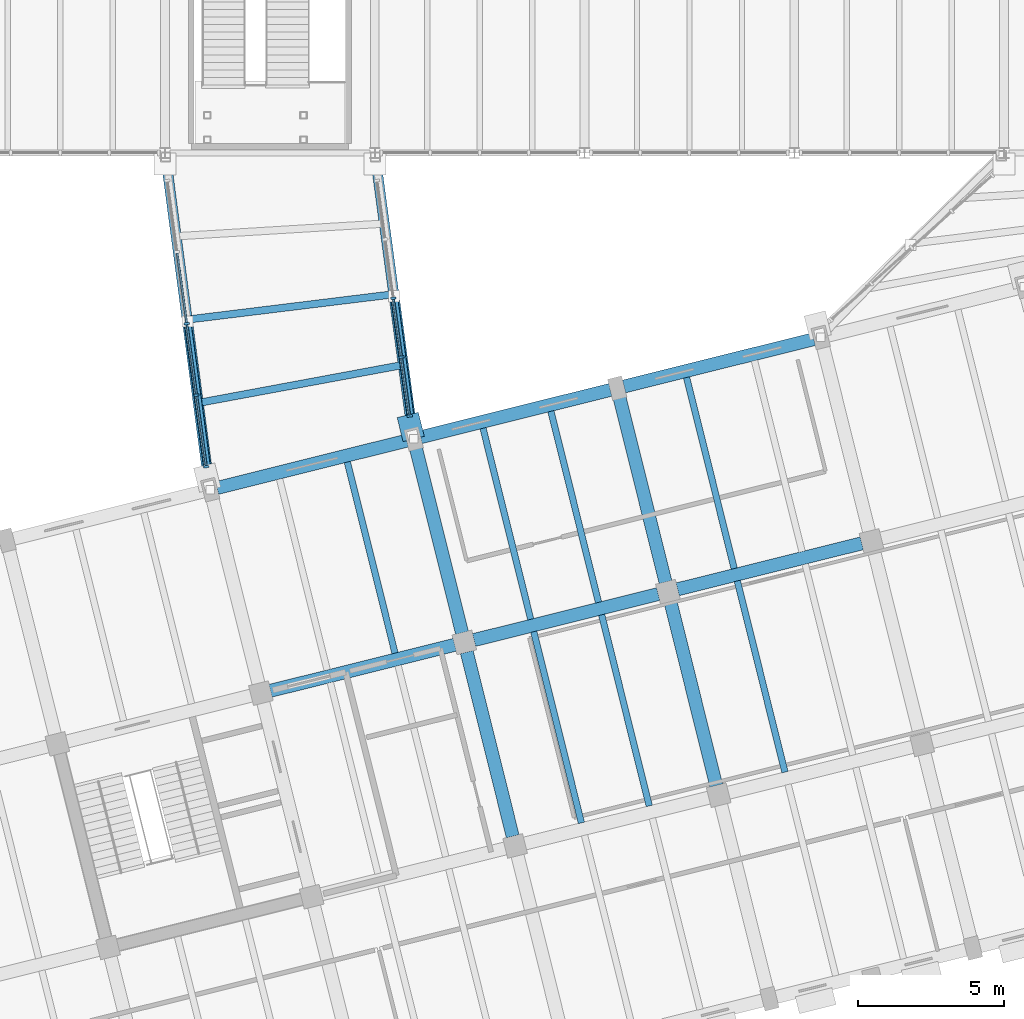
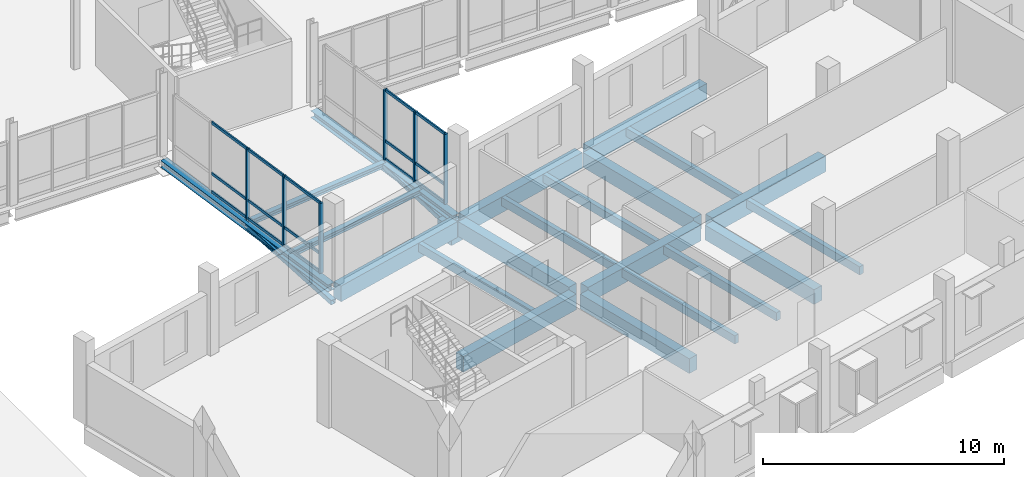
# One storey, part 17 of 72: 23 members, 22 beams, 2 elements without a shape of their own.
"""IFC4 building model written with IfcOpenShell, lengths in metres."""

from ifc_helpers import new_model, si_unit, direction, frame, origin, origin_2d, place, context, subcontext, project, spatial, rectangle, hollow_rectangle, i_section, extrude, material, material_profile, profile_set, type_object, element, aggregate, save


model = new_model("IFC4")

# Units and contexts
model_context = context("Model", 3, precision=1e-05, world=origin(), true_north=direction((0.0, 1.0)))
body_context = subcontext(model_context, "Body", "Model", "MODEL_VIEW")
ifc_project = project(units=[si_unit("LENGTHUNIT", "METRE"), si_unit("AREAUNIT", "SQUARE_METRE"), si_unit("VOLUMEUNIT", "CUBIC_METRE"), si_unit("PLANEANGLEUNIT", "RADIAN"), si_unit("MASSUNIT", "GRAM", prefix="KILO")], contexts=[model_context])

# Site, building, storey
site_placement = place(None, origin())
site = spatial("IfcSite", under=ifc_project, at=site_placement, CompositionType="ELEMENT")
building_placement = place(site_placement, origin())
building = spatial("IfcBuilding", under=site, at=building_placement, Name="Qiaolan Assembly House", CompositionType="ELEMENT")
storey_placement = place(building_placement, frame((0.0, 0.0, 10.199951171875)))
storey = spatial("IfcBuildingStorey", under=building, at=storey_placement, Name="L02", CompositionType="ELEMENT", Elevation=10.199951171875)

# Beams
ifc_material_1 = material(Name="Steel Q355B", Category="steel")
ifc_material_profile_1 = material_profile(ifc_material_1, i_section(OverallWidth=0.35009765625, OverallDepth=0.35009765625, WebThickness=0.011962890625, FlangeThickness=0.01904296875, FilletRadius=0.02001953125, at=origin_2d()), Name="HW 350x350x12x19-BR")
ifc_profile_set_1 = profile_set([ifc_material_profile_1], Name="Steel Q355B")
beam_type_1 = type_object("IfcBeamType", Name="BM-BRIDGE-CHORD-HW350", PredefinedType="BEAM", material=ifc_profile_set_1)
beam_1_placement = place(storey_placement, frame((44.7177734375, 24.55859375, -0.364990234375), z_axis=(-0.131494663693, 0.99131687841, 0.0), x_axis=(-0.99131687841, -0.131494663693, 0.0)))
element("IfcBeam", 1, at=beam_1_placement, inside=storey, type_object=beam_type_1, Name="BGB-01 skybridge main girder WB L02", PredefinedType="BEAM", context=body_context, shape_type="SweptSolid", body=[
    extrude(i_section(OverallWidth=0.35009765625, OverallDepth=0.35009765625, WebThickness=0.011962890625, FlangeThickness=0.01904296875, FilletRadius=0.02001953125, at=origin_2d()), origin(), (0.0, 0.0, 1.0), 11.40185546875),
])
beam_2_placement = place(storey_placement, frame((51.703857421875, 26.30029296875, -0.364990234375), z_axis=(-0.133217934411, 0.991086768124, 0.0), x_axis=(-0.991086768124, -0.133217934411, 0.0)))
element("IfcBeam", 2, at=beam_2_placement, inside=storey, type_object=beam_type_1, Name="BGB-01 skybridge main girder WB L02", PredefinedType="BEAM", context=body_context, shape_type="SweptSolid", body=[
    extrude(i_section(OverallWidth=0.35009765625, OverallDepth=0.35009765625, WebThickness=0.011962890625, FlangeThickness=0.01904296875, FilletRadius=0.02001953125, at=origin_2d()), origin(), (0.0, 0.0, 1.0), 9.64697265625),
])
ifc_material_profile_2 = material_profile(ifc_material_1, i_section(OverallWidth=0.25, OverallDepth=0.25, WebThickness=0.009033203125, FlangeThickness=0.013916015625, FilletRadius=0.01611328125, at=origin_2d()), Name="HW 250x250x9x14")
ifc_profile_set_2 = profile_set([ifc_material_profile_2], Name="Steel Q355B")
beam_type_2 = type_object("IfcBeamType", Name="BM-BRIDGE-CROSS-HW250", PredefinedType="BEAM", material=ifc_profile_set_2)
beam_3_placement = place(storey_placement, frame((44.33837890625, 27.4189453125, -0.31494140625), z_axis=(0.983212514339, 0.182464110572, 0.0), x_axis=(-0.182464110572, 0.983212514339, 0.0)))
element("IfcBeam", 3, at=beam_3_placement, inside=storey, type_object=beam_type_2, Name="BGB-02 skybridge cross beam WB L02", PredefinedType="BEAM", context=body_context, shape_type="SweptSolid", body=[
    extrude(i_section(OverallWidth=0.25, OverallDepth=0.25, WebThickness=0.009033203125, FlangeThickness=0.013916015625, FilletRadius=0.01611328125, at=origin_2d()), origin(), (0.0, 0.0, 1.0), 7.15966796875),
])
beam_4_placement = place(storey_placement, frame((43.958740234375, 30.279296875, -0.31494140625), z_axis=(0.992547732706, 0.121856465979, 0.0), x_axis=(-0.121856465979, 0.992547732706, 0.0)))
element("IfcBeam", 4, at=beam_4_placement, inside=storey, type_object=beam_type_2, Name="BGB-02 skybridge cross beam WB L02", PredefinedType="BEAM", context=body_context, shape_type="SweptSolid", body=[
    extrude(i_section(OverallWidth=0.25, OverallDepth=0.25, WebThickness=0.009033203125, FlangeThickness=0.013916015625, FilletRadius=0.01611328125, at=origin_2d()), origin(), (0.0, 0.0, 1.0), 7.146484375),
])
ifc_material_2 = material(Name="Concrete C50/60", Category="concrete")
ifc_material_profile_3 = material_profile(ifc_material_2, rectangle(XDim=0.75, YDim=0.949951171875, at=origin_2d()), Name="RCB 750x950")
ifc_profile_set_3 = profile_set([ifc_material_profile_3], Name="Concrete C50/60")
beam_type_3 = type_object("IfcBeamType", Name="BM-CORBEL-750x950", PredefinedType="SPANDREL", material=ifc_profile_set_3)
beam_5_placement = place(storey_placement, frame((51.73291015625, 26.183837890625, -1.051025390625), z_axis=(-0.241859697247, 0.97031123195, 0.0), x_axis=(-0.97031123195, -0.241859697247, 0.0)))
element("IfcBeam", 5, at=beam_5_placement, inside=storey, type_object=beam_type_3, Name="CB-01 movement-joint RC corbel WB L02 SE", PredefinedType="SPANDREL", context=body_context, shape_type="SweptSolid", body=[
    extrude(rectangle(XDim=0.75, YDim=0.949951171875, at=origin_2d()), origin(), (0.0, 0.0, 1.0), 0.849853515625),
])
ifc_material_3 = material(Name="Concrete C40/50", Category="concrete")
ifc_material_profile_4 = material_profile(ifc_material_3, rectangle(XDim=0.449951171875, YDim=0.75, at=origin_2d()), Name="RCB 450x750")
ifc_profile_set_4 = profile_set([ifc_material_profile_4], Name="Concrete C40/50")
beam_type_4 = type_object("IfcBeamType", Name="BM-RC-450x750", PredefinedType="BEAM", material=ifc_profile_set_4)
beam_6_placement = place(storey_placement, frame((55.13427734375, 12.54150390625, -0.625), z_axis=(-0.241927658105, 0.970294289504, 0.0), x_axis=(-0.970294289504, -0.241927658105, 0.0)))
element("IfcBeam", 6, at=beam_6_placement, inside=storey, type_object=beam_type_4, Name="GB-04 beam BMV-SE-L02-03-01", PredefinedType="BEAM", context=body_context, shape_type="SweptSolid", body=[
    extrude(rectangle(XDim=0.449951171875, YDim=0.75, at=origin_2d()), origin(), (0.0, 0.0, 1.0), 6.52001953125),
])
beam_7_placement = place(storey_placement, frame((53.392578125, 19.527587890625, -0.625), z_axis=(-0.241928153868, 0.970294165893, 0.0), x_axis=(-0.970294165893, -0.241928153868, 0.0)))
element("IfcBeam", 7, at=beam_7_placement, inside=storey, type_object=beam_type_4, Name="GB-04 beam BMV-SE-L02-03-02", PredefinedType="BEAM", context=body_context, shape_type="SweptSolid", body=[
    extrude(rectangle(XDim=0.449951171875, YDim=0.75, at=origin_2d()), origin(), (0.0, 0.0, 1.0), 6.619873046875),
])
beam_8_placement = place(storey_placement, frame((62.120361328125, 14.283447265625, -0.625), z_axis=(-0.241901193801, 0.97030088758, 0.0), x_axis=(-0.97030088758, -0.241901193801, 0.0)))
element("IfcBeam", 8, at=beam_8_placement, inside=storey, type_object=beam_type_4, Name="GB-04 beam BMV-SE-L02-04-01", PredefinedType="BEAM", context=body_context, shape_type="SweptSolid", body=[
    extrude(rectangle(XDim=0.449951171875, YDim=0.75, at=origin_2d()), origin(), (0.0, 0.0, 1.0), 6.519775390625),
])
beam_9_placement = place(storey_placement, frame((60.378662109375, 21.26953125, -0.625), z_axis=(-0.241928153868, 0.970294165893, 0.0), x_axis=(-0.970294165893, -0.241928153868, 0.0)))
element("IfcBeam", 9, at=beam_9_placement, inside=storey, type_object=beam_type_4, Name="GB-04 beam BMV-SE-L02-04-02", PredefinedType="BEAM", context=body_context, shape_type="SweptSolid", body=[
    extrude(rectangle(XDim=0.449951171875, YDim=0.75, at=origin_2d()), origin(), (0.0, 0.0, 1.0), 6.619873046875),
])
ifc_material_profile_5 = material_profile(ifc_material_3, rectangle(XDim=0.449951171875, YDim=0.800048828125, at=origin_2d()), Name="RCB 450x800")
ifc_profile_set_5 = profile_set([ifc_material_profile_5], Name="Concrete C40/50")
beam_type_5 = type_object("IfcBeamType", Name="BM-RC-450x800", PredefinedType="BEAM", material=ifc_profile_set_5)
for number, where, z_axis, x_axis, name in (
    (10, (46.818603515625, 17.5380859375, -0.64990234375), (0.970292097807, 0.241936448129, 0.0), (-0.241936448129, 0.970292097807, 0.0), "GB-03 beam BMU-SE-L02-02-02"),
    (11, (53.8046875, 19.280029296875, -0.64990234375), (0.970292097807, 0.241936448129, 0.0), (-0.241936448129, 0.970292097807, 0.0), "GB-03 beam BMU-SE-L02-03-02"),
):
    element("IfcBeam", number, at=place(storey_placement, frame(where, z_axis=z_axis, x_axis=x_axis)), inside=storey, type_object=beam_type_5, Name=name, PredefinedType="BEAM", context=body_context, shape_type="SweptSolid", body=[
        extrude(rectangle(XDim=0.449951171875, YDim=0.800048828125, at=origin_2d()), origin(), (0.0, 0.0, 1.0), 6.519775390625),
    ])
beam_10_placement = place(storey_placement, frame((60.790771484375, 21.02197265625, -0.64990234375), z_axis=(0.970303078658, 0.241892404898, 0.0), x_axis=(-0.241892404898, 0.970303078658, 0.0)))
element("IfcBeam", 12, at=beam_10_placement, inside=storey, type_object=beam_type_5, Name="GB-03 beam BMU-SE-L02-04-02", PredefinedType="BEAM", context=body_context, shape_type="SweptSolid", body=[
    extrude(rectangle(XDim=0.449951171875, YDim=0.800048828125, at=origin_2d()), origin(), (0.0, 0.0, 1.0), 6.52001953125),
])
beam_11_placement = place(storey_placement, frame((44.979736328125, 24.500244140625, -0.64990234375), z_axis=(0.970302573856, 0.241894429802, 0.0), x_axis=(-0.241894429802, 0.970302573856, 0.0)))
element("IfcBeam", 13, at=beam_11_placement, inside=storey, type_object=beam_type_5, Name="GB-03 beam BMU-SE-L02-02-03", PredefinedType="BEAM", context=body_context, shape_type="SweptSolid", body=[
    extrude(rectangle(XDim=0.449951171875, YDim=0.800048828125, at=origin_2d()), origin(), (0.0, 0.0, 1.0), 6.7197265625),
])
for number, where, z_axis, x_axis, name in (
    (14, (51.9658203125, 26.241943359375, -0.64990234375), (0.970294045957, 0.241928634891, 0.0), (-0.241928634891, 0.970294045957, 0.0), "GB-03 beam BMU-SE-L02-03-03"),
    (15, (58.951904296875, 27.98388671875, -0.64990234375), (0.970294045957, 0.241928634891, 0.0), (-0.241928634891, 0.970294045957, 0.0), "GB-03 beam BMU-SE-L02-04-03"),
):
    element("IfcBeam", number, at=place(storey_placement, frame(where, z_axis=z_axis, x_axis=x_axis)), inside=storey, type_object=beam_type_5, Name=name, PredefinedType="BEAM", context=body_context, shape_type="SweptSolid", body=[
        extrude(rectangle(XDim=0.449951171875, YDim=0.800048828125, at=origin_2d()), origin(), (0.0, 0.0, 1.0), 6.719970703125),
    ])

# Curtain wall, members
ifc_material_4 = material(Name="Anodised bronze aluminium", Category="aluminium")
curtain_wall_type = type_object("IfcCurtainWallType", Name="CW-BRIDGE-420", PredefinedType="NOTDEFINED", material=ifc_material_4)
curtain_wall_1_placement = place(storey_placement, origin())
curtain_wall_1 = element("IfcCurtainWall", 16, at=curtain_wall_1_placement, inside=storey, type_object=curtain_wall_type, Name="CW-03 Glazed Skybridge Curtain Wall WB L02 W", PredefinedType="NOTDEFINED")
ifc_material_profile_6 = material_profile(ifc_material_4, rectangle(XDim=0.077880859375, YDim=0.179931640625, at=origin_2d()), Name="MUL 78x180")
ifc_profile_set_6 = profile_set([ifc_material_profile_6], Name="Anodised bronze aluminium")
member_type_1 = type_object("IfcMemberType", Name="CW-BRIDGE-420-MUL", PredefinedType="MULLION", material=ifc_profile_set_6)
member_1_placement = place(storey_placement, frame((44.612060546875, 25.2294921875, 0.0), z_axis=(0.0, 0.0, 1.0), x_axis=(-0.134917653255, 0.990856814499, 0.0)))
member_1 = element("IfcMember", 17, at=member_1_placement, type_object=member_type_1, Name="ML-04 mullion CW-BRIDGE-WB-L02-W-1", PredefinedType="MULLION", context=body_context, shape_type="SweptSolid", body=[
    extrude(rectangle(XDim=0.077880859375, YDim=0.179931640625, at=origin_2d()), origin(), (0.0, 0.0, 1.0), 3.550048828125),
])
member_2_placement = place(storey_placement, frame((44.277587890625, 27.68603515625, 0.0), z_axis=(0.0, 0.0, 1.0), x_axis=(-0.134917653255, 0.990856814499, 0.0)))
member_2 = element("IfcMember", 18, at=member_2_placement, type_object=member_type_1, Name="ML-04 mullion CW-BRIDGE-WB-L02-W-2", PredefinedType="MULLION", context=body_context, shape_type="SweptSolid", body=[
    extrude(rectangle(XDim=0.077880859375, YDim=0.179931640625, at=origin_2d()), origin(), (0.0, 0.0, 1.0), 3.550048828125),
])
member_3_placement = place(storey_placement, frame((43.943115234375, 30.142333984375, 0.0), z_axis=(0.0, 0.0, 1.0), x_axis=(-0.134917653255, 0.990856814499, 0.0)))
member_3 = element("IfcMember", 19, at=member_3_placement, type_object=member_type_1, Name="ML-04 mullion CW-BRIDGE-WB-L02-W-3", PredefinedType="MULLION", context=body_context, shape_type="SweptSolid", body=[
    extrude(rectangle(XDim=0.077880859375, YDim=0.179931640625, at=origin_2d()), origin(), (0.0, 0.0, 1.0), 3.550048828125),
])

curtain_wall_2_placement = place(storey_placement, origin())
curtain_wall_2 = element("IfcCurtainWall", 20, at=curtain_wall_2_placement, inside=storey, type_object=curtain_wall_type, Name="CW-03 Glazed Skybridge Curtain Wall WB L02 E", PredefinedType="NOTDEFINED")
member_4_placement = place(storey_placement, frame((51.0361328125, 31.01318359375, 0.0), z_axis=(0.0, 0.0, 1.0), x_axis=(0.137387630004, -0.990517359324, 0.0)))
member_4 = element("IfcMember", 21, at=member_4_placement, type_object=member_type_1, Name="ML-04 mullion CW-BRIDGE-WB-L02-E-3", PredefinedType="MULLION", context=body_context, shape_type="SweptSolid", body=[
    extrude(rectangle(XDim=0.077880859375, YDim=0.179931640625, at=origin_2d()), origin(), (0.0, 0.0, 1.0), 3.550048828125),
])
member_5_placement = place(storey_placement, frame((51.31640625, 28.9921875, 0.0), z_axis=(0.0, 0.0, 1.0), x_axis=(0.137387630004, -0.990517359324, 0.0)))
member_5 = element("IfcMember", 22, at=member_5_placement, type_object=member_type_1, Name="ML-04 mullion CW-BRIDGE-WB-L02-E-4", PredefinedType="MULLION", context=body_context, shape_type="SweptSolid", body=[
    extrude(rectangle(XDim=0.077880859375, YDim=0.179931640625, at=origin_2d()), origin(), (0.0, 0.0, 1.0), 3.550048828125),
])
member_6_placement = place(storey_placement, frame((51.596923828125, 26.97119140625, 0.0), z_axis=(0.0, 0.0, 1.0), x_axis=(0.137387630004, -0.990517359324, 0.0)))
member_6 = element("IfcMember", 23, at=member_6_placement, type_object=member_type_1, Name="ML-04 mullion CW-BRIDGE-WB-L02-E-5", PredefinedType="MULLION", context=body_context, shape_type="SweptSolid", body=[
    extrude(rectangle(XDim=0.077880859375, YDim=0.179931640625, at=origin_2d()), origin(), (0.0, 0.0, 1.0), 3.550048828125),
])

# Member
ifc_material_profile_7 = material_profile(ifc_material_4, rectangle(XDim=0.068115234375, YDim=0.139892578125, at=origin_2d()), Name="TRN 68x140")
ifc_profile_set_7 = profile_set([ifc_material_profile_7], Name="Anodised bronze aluminium")
member_type_2 = type_object("IfcMemberType", Name="CW-BRIDGE-420-TRN", PredefinedType="USERDEFINED", material=ifc_profile_set_7)
member_7_placement = place(storey_placement, frame((44.606689453125, 25.268310546875, 0.030029296875), z_axis=(-0.134840926232, 0.990867258826, 0.0), x_axis=(-0.990867258826, -0.134840926232, 0.0)))
member_7 = element("IfcMember", 24, at=member_7_placement, type_object=member_type_2, Name="TR-04 transom CW-BRIDGE-WB-L02-W-1-1", ObjectType="TRANSOM", PredefinedType="USERDEFINED", context=body_context, shape_type="SweptSolid", body=[
    extrude(rectangle(XDim=0.068115234375, YDim=0.139892578125, at=origin_2d()), origin(), (0.0, 0.0, 1.0), 2.40087890625),
])

member_8_placement = place(storey_placement, frame((44.606689453125, 25.268310546875, 0.949951171875), z_axis=(-0.134840926232, 0.990867258826, 0.0), x_axis=(-0.990867258826, -0.134840926232, 0.0)))
member_8 = element("IfcMember", 25, at=member_8_placement, type_object=member_type_2, Name="TR-04 transom CW-BRIDGE-WB-L02-W-1-2", ObjectType="TRANSOM", PredefinedType="USERDEFINED", context=body_context, shape_type="SweptSolid", body=[
    extrude(rectangle(XDim=0.068115234375, YDim=0.139892578125, at=origin_2d()), origin(), (0.0, 0.0, 1.0), 2.40087890625),
])

member_9_placement = place(storey_placement, frame((44.606689453125, 25.268310546875, 3.52001953125), z_axis=(-0.134840926232, 0.990867258826, 0.0), x_axis=(-0.990867258826, -0.134840926232, 0.0)))
member_9 = element("IfcMember", 26, at=member_9_placement, type_object=member_type_2, Name="TR-04 transom CW-BRIDGE-WB-L02-W-1-3", ObjectType="TRANSOM", PredefinedType="USERDEFINED", context=body_context, shape_type="SweptSolid", body=[
    extrude(rectangle(XDim=0.068115234375, YDim=0.139892578125, at=origin_2d()), origin(), (0.0, 0.0, 1.0), 2.40087890625),
])

member_10_placement = place(storey_placement, frame((44.272216796875, 27.724609375, 0.030029296875), z_axis=(-0.134840926232, 0.990867258826, 0.0), x_axis=(-0.990867258826, -0.134840926232, 0.0)))
member_10 = element("IfcMember", 27, at=member_10_placement, type_object=member_type_2, Name="TR-04 transom CW-BRIDGE-WB-L02-W-2-1", ObjectType="TRANSOM", PredefinedType="USERDEFINED", context=body_context, shape_type="SweptSolid", body=[
    extrude(rectangle(XDim=0.068115234375, YDim=0.139892578125, at=origin_2d()), origin(), (0.0, 0.0, 1.0), 2.40087890625),
])

member_11_placement = place(storey_placement, frame((44.272216796875, 27.724609375, 0.949951171875), z_axis=(-0.134840926232, 0.990867258826, 0.0), x_axis=(-0.990867258826, -0.134840926232, 0.0)))
member_11 = element("IfcMember", 28, at=member_11_placement, type_object=member_type_2, Name="TR-04 transom CW-BRIDGE-WB-L02-W-2-2", ObjectType="TRANSOM", PredefinedType="USERDEFINED", context=body_context, shape_type="SweptSolid", body=[
    extrude(rectangle(XDim=0.068115234375, YDim=0.139892578125, at=origin_2d()), origin(), (0.0, 0.0, 1.0), 2.40087890625),
])

member_12_placement = place(storey_placement, frame((44.272216796875, 27.724609375, 3.52001953125), z_axis=(-0.134840926232, 0.990867258826, 0.0), x_axis=(-0.990867258826, -0.134840926232, 0.0)))
member_12 = element("IfcMember", 29, at=member_12_placement, type_object=member_type_2, Name="TR-04 transom CW-BRIDGE-WB-L02-W-2-3", ObjectType="TRANSOM", PredefinedType="USERDEFINED", context=body_context, shape_type="SweptSolid", body=[
    extrude(rectangle(XDim=0.068115234375, YDim=0.139892578125, at=origin_2d()), origin(), (0.0, 0.0, 1.0), 2.40087890625),
])

member_13_placement = place(storey_placement, frame((43.93798828125, 30.180908203125, 0.030029296875), z_axis=(-0.134927170158, 0.990855518607, 0.0), x_axis=(-0.990855518607, -0.134927170158, 0.0)))
member_13 = element("IfcMember", 30, at=member_13_placement, type_object=member_type_2, Name="TR-04 transom CW-BRIDGE-WB-L02-W-3-1", ObjectType="TRANSOM", PredefinedType="USERDEFINED", context=body_context, shape_type="SweptSolid", body=[
    extrude(rectangle(XDim=0.068115234375, YDim=0.139892578125, at=origin_2d()), origin(), (0.0, 0.0, 1.0), 2.401123046875),
])

member_14_placement = place(storey_placement, frame((43.93798828125, 30.180908203125, 0.949951171875), z_axis=(-0.134927170158, 0.990855518607, 0.0), x_axis=(-0.990855518607, -0.134927170158, 0.0)))
member_14 = element("IfcMember", 31, at=member_14_placement, type_object=member_type_2, Name="TR-04 transom CW-BRIDGE-WB-L02-W-3-2", ObjectType="TRANSOM", PredefinedType="USERDEFINED", context=body_context, shape_type="SweptSolid", body=[
    extrude(rectangle(XDim=0.068115234375, YDim=0.139892578125, at=origin_2d()), origin(), (0.0, 0.0, 1.0), 2.401123046875),
])

member_15_placement = place(storey_placement, frame((43.93798828125, 30.180908203125, 3.52001953125), z_axis=(-0.134927170158, 0.990855518607, 0.0), x_axis=(-0.990855518607, -0.134927170158, 0.0)))
member_15 = element("IfcMember", 32, at=member_15_placement, type_object=member_type_2, Name="TR-04 transom CW-BRIDGE-WB-L02-W-3-3", ObjectType="TRANSOM", PredefinedType="USERDEFINED", context=body_context, shape_type="SweptSolid", body=[
    extrude(rectangle(XDim=0.068115234375, YDim=0.139892578125, at=origin_2d()), origin(), (0.0, 0.0, 1.0), 2.401123046875),
])

aggregate(curtain_wall_1, [member_1, member_2, member_3, member_7, member_8, member_9, member_10, member_11, member_12, member_13, member_14, member_15])

member_16_placement = place(storey_placement, frame((51.04150390625, 30.974609375, 0.030029296875), z_axis=(0.137361532541, -0.990520978767, 0.0), x_axis=(0.990520978767, 0.137361532541, 0.0)))
member_16 = element("IfcMember", 33, at=member_16_placement, type_object=member_type_2, Name="TR-04 transom CW-BRIDGE-WB-L02-E-3-1", ObjectType="TRANSOM", PredefinedType="USERDEFINED", context=body_context, shape_type="SweptSolid", body=[
    extrude(rectangle(XDim=0.068115234375, YDim=0.139892578125, at=origin_2d()), origin(), (0.0, 0.0, 1.0), 1.962158203125),
])

member_17_placement = place(storey_placement, frame((51.04150390625, 30.974609375, 0.949951171875), z_axis=(0.137361532541, -0.990520978767, 0.0), x_axis=(0.990520978767, 0.137361532541, 0.0)))
member_17 = element("IfcMember", 34, at=member_17_placement, type_object=member_type_2, Name="TR-04 transom CW-BRIDGE-WB-L02-E-3-2", ObjectType="TRANSOM", PredefinedType="USERDEFINED", context=body_context, shape_type="SweptSolid", body=[
    extrude(rectangle(XDim=0.068115234375, YDim=0.139892578125, at=origin_2d()), origin(), (0.0, 0.0, 1.0), 1.962158203125),
])

member_18_placement = place(storey_placement, frame((51.04150390625, 30.974609375, 3.52001953125), z_axis=(0.137361532541, -0.990520978767, 0.0), x_axis=(0.990520978767, 0.137361532541, 0.0)))
member_18 = element("IfcMember", 35, at=member_18_placement, type_object=member_type_2, Name="TR-04 transom CW-BRIDGE-WB-L02-E-3-3", ObjectType="TRANSOM", PredefinedType="USERDEFINED", context=body_context, shape_type="SweptSolid", body=[
    extrude(rectangle(XDim=0.068115234375, YDim=0.139892578125, at=origin_2d()), origin(), (0.0, 0.0, 1.0), 1.962158203125),
])

member_19_placement = place(storey_placement, frame((51.32177734375, 28.95361328125, 0.030029296875), z_axis=(0.137483603477, -0.990504042786, 0.0), x_axis=(0.990504042786, 0.137483603477, 0.0)))
member_19 = element("IfcMember", 36, at=member_19_placement, type_object=member_type_2, Name="TR-04 transom CW-BRIDGE-WB-L02-E-4-1", ObjectType="TRANSOM", PredefinedType="USERDEFINED", context=body_context, shape_type="SweptSolid", body=[
    extrude(rectangle(XDim=0.068115234375, YDim=0.139892578125, at=origin_2d()), origin(), (0.0, 0.0, 1.0), 1.962158203125),
])

member_20_placement = place(storey_placement, frame((51.32177734375, 28.95361328125, 0.949951171875), z_axis=(0.137483603477, -0.990504042786, 0.0), x_axis=(0.990504042786, 0.137483603477, 0.0)))
member_20 = element("IfcMember", 37, at=member_20_placement, type_object=member_type_2, Name="TR-04 transom CW-BRIDGE-WB-L02-E-4-2", ObjectType="TRANSOM", PredefinedType="USERDEFINED", context=body_context, shape_type="SweptSolid", body=[
    extrude(rectangle(XDim=0.068115234375, YDim=0.139892578125, at=origin_2d()), origin(), (0.0, 0.0, 1.0), 1.962158203125),
])

member_21_placement = place(storey_placement, frame((51.32177734375, 28.95361328125, 3.52001953125), z_axis=(0.137483603477, -0.990504042786, 0.0), x_axis=(0.990504042786, 0.137483603477, 0.0)))
member_21 = element("IfcMember", 38, at=member_21_placement, type_object=member_type_2, Name="TR-04 transom CW-BRIDGE-WB-L02-E-4-3", ObjectType="TRANSOM", PredefinedType="USERDEFINED", context=body_context, shape_type="SweptSolid", body=[
    extrude(rectangle(XDim=0.068115234375, YDim=0.139892578125, at=origin_2d()), origin(), (0.0, 0.0, 1.0), 1.962158203125),
])

aggregate(curtain_wall_2, [member_4, member_5, member_6, member_16, member_17, member_18, member_19, member_20, member_21])

# Beams
ifc_material_profile_8 = material_profile(ifc_material_3, rectangle(XDim=0.219970703125, YDim=0.419921875, at=origin_2d()), Name="RCB 220x420")
ifc_profile_set_8 = profile_set([ifc_material_profile_8], Name="Concrete C40/50")
beam_type_6 = type_object("IfcBeamType", Name="JST-RC-220x420", PredefinedType="JOIST", material=ifc_profile_set_8)
for number, where, z_axis, x_axis, name in (
    (39, (51.093017578125, 18.82958984375, -0.4599609375), (-0.241932430168, 0.970293099652, 0.0), (-0.970293099652, -0.241932430168, 0.0), "RJ-03 beam JST-SE-L02-02-02-2"),
    (40, (57.4921875, 13.004638671875, -0.4599609375), (-0.241898439004, 0.970301574361, 0.0), (-0.970301574361, -0.241898439004, 0.0), "RJ-03 beam JST-SE-L02-03-01-1"),
):
    element("IfcBeam", number, at=place(storey_placement, frame(where, z_axis=z_axis, x_axis=x_axis)), inside=storey, type_object=beam_type_6, Name=name, PredefinedType="JOIST", context=body_context, shape_type="SweptSolid", body=[
        extrude(rectangle(XDim=0.219970703125, YDim=0.419921875, at=origin_2d()), origin(), (0.0, 0.0, 1.0), 6.76220703125),
    ])
for number, where, z_axis, x_axis, name in (
    (41, (59.821044921875, 13.58544921875, -0.4599609375), (-0.241940905686, 0.970290986331, 0.0), (-0.970290986331, -0.241940905686, 0.0), "RJ-03 beam JST-SE-L02-03-01-2"),
    (42, (55.75048828125, 19.990966796875, -0.4599609375), (-0.241940905686, 0.970290986331, 0.0), (-0.970290986331, -0.241940905686, 0.0), "RJ-03 beam JST-SE-L02-03-02-1"),
    (43, (58.0791015625, 20.571533203125, -0.4599609375), (-0.241906913479, 0.970299461615, 0.0), (-0.970299461615, -0.241906913479, 0.0), "RJ-03 beam JST-SE-L02-03-02-2"),
    (44, (64.478515625, 14.74658203125, -0.4599609375), (-0.241940905686, 0.970290986331, 0.0), (-0.970290986331, -0.241940905686, 0.0), "RJ-03 beam JST-SE-L02-04-01-1"),
):
    element("IfcBeam", number, at=place(storey_placement, frame(where, z_axis=z_axis, x_axis=x_axis)), inside=storey, type_object=beam_type_6, Name=name, PredefinedType="JOIST", context=body_context, shape_type="SweptSolid", body=[
        extrude(rectangle(XDim=0.219970703125, YDim=0.419921875, at=origin_2d()), origin(), (0.0, 0.0, 1.0), 6.761962890625),
    ])
beam_12_placement = place(storey_placement, frame((62.736572265625, 21.732666015625, -0.4599609375), z_axis=(-0.241932430168, 0.970293099652, 0.0), x_axis=(-0.970293099652, -0.241932430168, 0.0)))
element("IfcBeam", 45, at=beam_12_placement, inside=storey, type_object=beam_type_6, Name="RJ-03 beam JST-SE-L02-04-02-1", PredefinedType="JOIST", context=body_context, shape_type="SweptSolid", body=[
    extrude(rectangle(XDim=0.219970703125, YDim=0.419921875, at=origin_2d()), origin(), (0.0, 0.0, 1.0), 6.76220703125),
])

# Members
ifc_material_profile_9 = material_profile(ifc_material_1, hollow_rectangle(XDim=0.25, YDim=0.25, WallThickness=0.010009765625, InnerFilletRadius=0.010009765625, OuterFilletRadius=0.02001953125, at=origin_2d()), Name="SHS 250x250x10")
ifc_profile_set_9 = profile_set([ifc_material_profile_9], Name="Steel Q355B")
member_type_3 = type_object("IfcMemberType", Name="MBR-BRACE-BRIDGE-SHS250", PredefinedType="BRACE", material=ifc_profile_set_9)
member_22_placement = place(storey_placement, frame((44.746826171875, 24.442138671875, -1.051025390625), z_axis=(-0.132892117923, 0.98419319308, 0.117061708891), x_axis=(-0.991006718168, -0.133812124062, 0.0)))
element("IfcMember", 46, at=member_22_placement, inside=storey, type_object=member_type_3, Name="BR-03 skybridge brace WB L02", PredefinedType="BRACE", context=body_context, shape_type="SweptSolid", body=[
    extrude(hollow_rectangle(XDim=0.25, YDim=0.25, WallThickness=0.010009765625, InnerFilletRadius=0.010009765625, OuterFilletRadius=0.02001953125, at=origin_2d()), origin(), (0.0, 0.0, 1.0), 5.8603515625),
])
member_23_placement = place(storey_placement, frame((51.73291015625, 26.183837890625, -1.051025390625), z_axis=(-0.134590029279, 0.981318359604, 0.137476547537), x_axis=(-0.990725274151, -0.135880208854, 0.0)))
element("IfcMember", 47, at=member_23_placement, inside=storey, type_object=member_type_3, Name="BR-03 skybridge brace WB L02", PredefinedType="BRACE", context=body_context, shape_type="SweptSolid", body=[
    extrude(hollow_rectangle(XDim=0.25, YDim=0.25, WallThickness=0.010009765625, InnerFilletRadius=0.010009765625, OuterFilletRadius=0.02001953125, at=origin_2d()), origin(), (0.0, 0.0, 1.0), 4.990234375),
])

save(model, "model.ifc")
